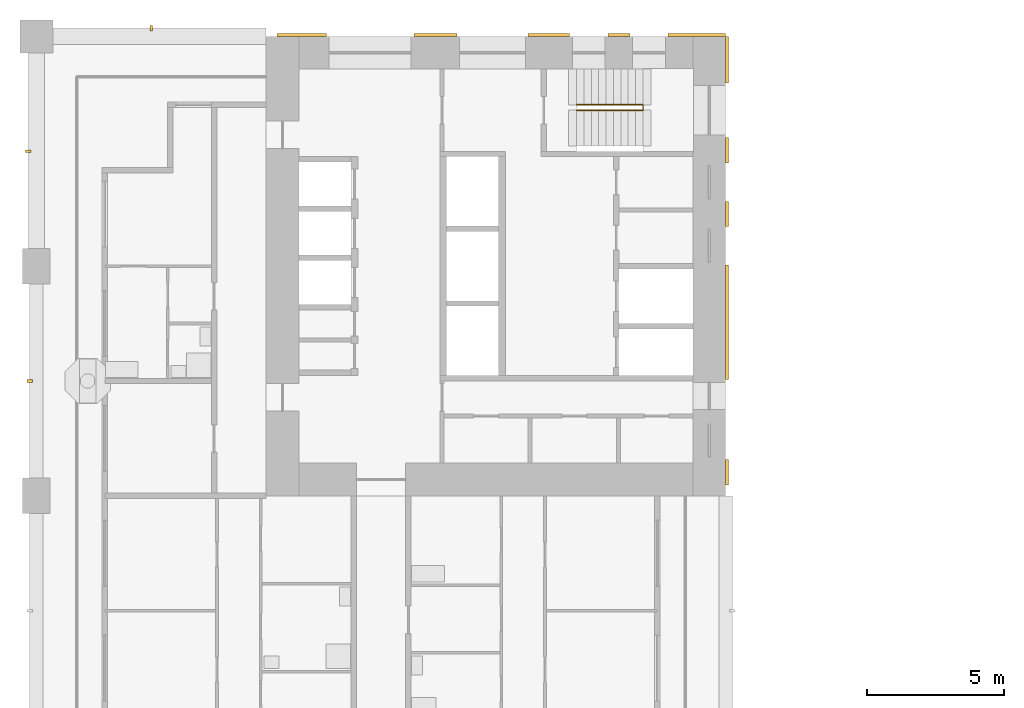
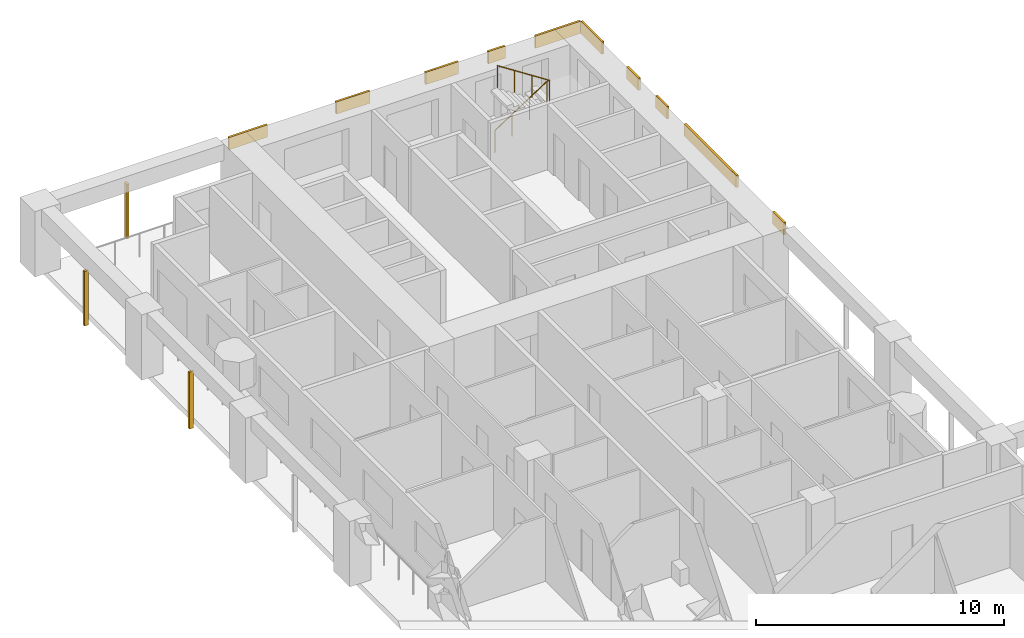
# One storey, part 15 of 19: 13 shading devices, 1 railing.
"""IFC4 building model written with IfcOpenShell, lengths in metres."""

from ifc_helpers import new_model, si_unit, direction, frame, origin, origin_2d, place, context, subcontext, project, spatial, rectangle, circle, extrude, material, layer, layer_set, material_profile, profile_set, type_object, element, save


model = new_model("IFC4")

# Units and contexts
model_context = context("Model", 3, precision=1e-05, world=origin(), true_north=direction((0.0, 1.0)))
body_context = subcontext(model_context, "Body", "Model", "MODEL_VIEW")
ifc_project = project(units=[si_unit("LENGTHUNIT", "METRE"), si_unit("AREAUNIT", "SQUARE_METRE"), si_unit("VOLUMEUNIT", "CUBIC_METRE"), si_unit("PLANEANGLEUNIT", "RADIAN"), si_unit("MASSUNIT", "GRAM", prefix="KILO")], contexts=[model_context])

# Site, building, storey
site_placement = place(None, origin())
site = spatial("IfcSite", under=ifc_project, at=site_placement, CompositionType="ELEMENT")
building_placement = place(site_placement, origin())
building = spatial("IfcBuilding", under=site, at=building_placement, Name="Vermilion Gate Residences", CompositionType="ELEMENT")
storey_placement = place(building_placement, frame((0.0, 0.0, 119.699951171875)))
storey = spatial("IfcBuildingStorey", under=building, at=storey_placement, Name="L30", CompositionType="ELEMENT", Elevation=119.699951171875)

# Railing
ifc_material_1 = material(Name="Steel S355", Category="steel")
railing_type = type_object("IfcRailingType", Name="STAIR GUARD 1100 STEEL", PredefinedType="GUARDRAIL", material=ifc_material_1)
railing_placement = place(storey_placement, frame((19.75, 56.300048828125, 0.175048828125)))
element("IfcRailing", 1, at=railing_placement, inside=storey, type_object=railing_type, Name="Stair well guard STB1-30", PredefinedType="GUARDRAIL", context=body_context, shape_type="SweptSolid", body=[
    extrude(circle(Radius=0.02392578125, at=origin_2d()), frame((0.0, 0.0, 1.076171875), z_axis=(0.839153699163, 0.0, 0.543894354798), x_axis=(0.0, 1.0, 0.0)), (0.0, 0.0, 1.0), 2.895751953125),
    extrude(circle(Radius=0.02392578125, at=origin_2d()), frame((2.429931640625, 0.0, 2.65087890625), z_axis=(0.0, -0.752405939678, 0.658699705433), x_axis=(1.0, 0.0, 0.0)), (0.0, 0.0, 1.0), 0.265869140625),
    extrude(circle(Radius=0.02392578125, at=origin_2d()), frame((2.429931640625, -0.199951171875, 2.826171875), z_axis=(-0.839153699163, 0.0, 0.543894354798), x_axis=(0.0, -1.0, 0.0)), (0.0, 0.0, 1.0), 2.895751953125),
    extrude(circle(Radius=0.02099609375, at=origin_2d()), origin(), (0.0, 0.0, 1.0), 1.052001953125),
    extrude(circle(Radius=0.02099609375, at=origin_2d()), frame((0.81005859375, 0.0, 0.52490234375)), (0.0, 0.0, 1.0), 1.052001953125),
    extrude(circle(Radius=0.02099609375, at=origin_2d()), frame((1.619873046875, 0.0, 1.050048828125)), (0.0, 0.0, 1.0), 1.052001953125),
    extrude(circle(Radius=0.02099609375, at=origin_2d()), frame((2.429931640625, 0.0, 1.574951171875)), (0.0, 0.0, 1.0), 1.052001953125),
    extrude(circle(Radius=0.02099609375, at=origin_2d()), frame((2.429931640625, -0.199951171875, 1.75)), (0.0, 0.0, 1.0), 1.052001953125),
    extrude(circle(Radius=0.02099609375, at=origin_2d()), frame((1.619873046875, -0.199951171875, 2.27490234375)), (0.0, 0.0, 1.0), 1.052001953125),
    extrude(circle(Radius=0.02099609375, at=origin_2d()), frame((0.81005859375, -0.199951171875, 2.800048828125)), (0.0, 0.0, 1.0), 1.052001953125),
    extrude(circle(Radius=0.02099609375, at=origin_2d()), frame((0.0, -0.199951171875, 3.324951171875)), (0.0, 0.0, 1.0), 1.052001953125),
])

# Shading devices
ifc_material_2 = material(Name="Extruded terracotta", Category="masonry")
ifc_material_profile = material_profile(ifc_material_2, rectangle(XDim=0.199951171875, YDim=0.10009765625, at=origin_2d()), Name="BAGUETTE 100 X 200")
ifc_profile_set = profile_set([ifc_material_profile], Name="Extruded terracotta")
shading_device_type_1 = type_object("IfcShadingDeviceType", Name="TERRACOTTA BAGUETTE 100 X 200", PredefinedType="JALOUSIE", material=ifc_profile_set)
shading_device_1_placement = place(storey_placement, frame((4.199951171875, 59.10009765625, -0.280029296875), z_axis=(0.0, 0.0, 1.0), x_axis=(0.0, -1.0, 0.0)))
element("IfcShadingDevice", 2, at=shading_device_1_placement, inside=storey, type_object=shading_device_type_1, Name="BAGUETTE", PredefinedType="JALOUSIE", context=body_context, shape_type="SweptSolid", body=[
    extrude(rectangle(XDim=0.199951171875, YDim=0.10009765625, at=origin_2d()), origin(), (0.0, 0.0, 1.0), 2.7001953125),
])
shading_device_2_placement = place(storey_placement, frame((-0.25, 46.199951171875, -0.280029296875), z_axis=(0.0, 0.0, 1.0), x_axis=(1.0, 0.0, 0.0)))
element("IfcShadingDevice", 3, at=shading_device_2_placement, inside=storey, type_object=shading_device_type_1, Name="BAGUETTE", PredefinedType="JALOUSIE", context=body_context, shape_type="SweptSolid", body=[
    extrude(rectangle(XDim=0.199951171875, YDim=0.10009765625, at=origin_2d()), origin(), (0.0, 0.0, 1.0), 2.800048828125),
])
shading_device_3_placement = place(storey_placement, frame((-0.300048828125, 54.60009765625, -0.280029296875), z_axis=(0.0, 0.0, 1.0), x_axis=(1.0, 0.0, 0.0)))
element("IfcShadingDevice", 4, at=shading_device_3_placement, inside=storey, type_object=shading_device_type_1, Name="BAGUETTE", PredefinedType="JALOUSIE", context=body_context, shape_type="SweptSolid", body=[
    extrude(rectangle(XDim=0.199951171875, YDim=0.10009765625, at=origin_2d()), origin(), (0.0, 0.0, 1.0), 2.7001953125),
])
ifc_material_3 = material(Name="Extruded terracotta", Category="masonry")
ifc_layer = layer(ifc_material_3, 0.10009765625)
ifc_layer_set = layer_set([ifc_layer], Name="TERRACOTTA SPANDREL BAND 600 X 100")
shading_device_type_2 = type_object("IfcShadingDeviceType", Name="TERRACOTTA SPANDREL BAND 600 X 100", PredefinedType="USERDEFINED", material=ifc_layer_set)
shading_device_4_placement = place(storey_placement, frame((9.702392578125, 58.85009765625, 2.6201171875), z_axis=(0.0, 0.0, 1.0), x_axis=(1.0, 0.0, 0.0)))
element("IfcShadingDevice", 5, at=shading_device_4_placement, inside=storey, type_object=shading_device_type_2, Name="SPANDREL BAND", ObjectType="BAND", PredefinedType="USERDEFINED", context=body_context, shape_type="SweptSolid", body=[
    extrude(rectangle(XDim=1.804931640625, YDim=0.10009765625, at=origin_2d()), origin(), (0.0, 0.0, 1.0), 0.60009765625),
])
shading_device_5_placement = place(storey_placement, frame((14.590087890625, 58.85009765625, 2.6201171875), z_axis=(0.0, 0.0, 1.0), x_axis=(1.0, 0.0, 0.0)))
element("IfcShadingDevice", 6, at=shading_device_5_placement, inside=storey, type_object=shading_device_type_2, Name="SPANDREL BAND", ObjectType="BAND", PredefinedType="USERDEFINED", context=body_context, shape_type="SweptSolid", body=[
    extrude(rectangle(XDim=1.570068359375, YDim=0.10009765625, at=origin_2d()), origin(), (0.0, 0.0, 1.0), 0.60009765625),
])
shading_device_6_placement = place(storey_placement, frame((18.734130859375, 58.85009765625, 2.6201171875), z_axis=(0.0, 0.0, 1.0), x_axis=(1.0, 0.0, 0.0)))
element("IfcShadingDevice", 7, at=shading_device_6_placement, inside=storey, type_object=shading_device_type_2, Name="SPANDREL BAND", ObjectType="BAND", PredefinedType="USERDEFINED", context=body_context, shape_type="SweptSolid", body=[
    extrude(rectangle(XDim=1.518310546875, YDim=0.10009765625, at=origin_2d()), origin(), (0.0, 0.0, 1.0), 0.60009765625),
])
shading_device_7_placement = place(storey_placement, frame((21.294921875, 58.85009765625, 2.6201171875), z_axis=(0.0, 0.0, 1.0), x_axis=(1.0, 0.0, 0.0)))
element("IfcShadingDevice", 8, at=shading_device_7_placement, inside=storey, type_object=shading_device_type_2, Name="SPANDREL BAND", ObjectType="BAND", PredefinedType="USERDEFINED", context=body_context, shape_type="SweptSolid", body=[
    extrude(rectangle(XDim=0.803466796875, YDim=0.10009765625, at=origin_2d()), origin(), (0.0, 0.0, 1.0), 0.60009765625),
])
shading_device_8_placement = place(storey_placement, frame((24.1484375, 58.85009765625, 2.6201171875), z_axis=(0.0, 0.0, 1.0), x_axis=(1.0, 0.0, 0.0)))
element("IfcShadingDevice", 9, at=shading_device_8_placement, inside=storey, type_object=shading_device_type_2, Name="SPANDREL BAND", ObjectType="BAND", PredefinedType="USERDEFINED", context=body_context, shape_type="SweptSolid", body=[
    extrude(rectangle(XDim=2.103271484375, YDim=0.10009765625, at=origin_2d()), origin(), (0.0, 0.0, 1.0), 0.60009765625),
])
shading_device_9_placement = place(storey_placement, frame((25.25, 42.862548828125, 2.6201171875), z_axis=(0.0, 0.0, 1.0), x_axis=(0.0, 1.0, 0.0)))
element("IfcShadingDevice", 10, at=shading_device_9_placement, inside=storey, type_object=shading_device_type_2, Name="SPANDREL BAND", ObjectType="BAND", PredefinedType="USERDEFINED", context=body_context, shape_type="SweptSolid", body=[
    extrude(rectangle(XDim=0.925048828125, YDim=0.10009765625, at=origin_2d()), origin(), (0.0, 0.0, 1.0), 0.60009765625),
])
shading_device_10_placement = place(storey_placement, frame((25.25, 48.35009765625, 2.6201171875), z_axis=(0.0, 0.0, 1.0), x_axis=(0.0, 1.0, 0.0)))
element("IfcShadingDevice", 11, at=shading_device_10_placement, inside=storey, type_object=shading_device_type_2, Name="SPANDREL BAND", ObjectType="BAND", PredefinedType="USERDEFINED", context=body_context, shape_type="SweptSolid", body=[
    extrude(rectangle(XDim=4.199951171875, YDim=0.10009765625, at=origin_2d()), origin(), (0.0, 0.0, 1.0), 0.60009765625),
])
shading_device_11_placement = place(storey_placement, frame((25.25, 52.30615234375, 2.6201171875), z_axis=(0.0, 0.0, 1.0), x_axis=(0.0, 1.0, 0.0)))
element("IfcShadingDevice", 12, at=shading_device_11_placement, inside=storey, type_object=shading_device_type_2, Name="SPANDREL BAND", ObjectType="BAND", PredefinedType="USERDEFINED", context=body_context, shape_type="SweptSolid", body=[
    extrude(rectangle(XDim=0.91259765625, YDim=0.10009765625, at=origin_2d()), origin(), (0.0, 0.0, 1.0), 0.60009765625),
])
shading_device_12_placement = place(storey_placement, frame((25.25, 54.631103515625, 2.6201171875), z_axis=(0.0, 0.0, 1.0), x_axis=(0.0, 1.0, 0.0)))
element("IfcShadingDevice", 13, at=shading_device_12_placement, inside=storey, type_object=shading_device_type_2, Name="SPANDREL BAND", ObjectType="BAND", PredefinedType="USERDEFINED", context=body_context, shape_type="SweptSolid", body=[
    extrude(rectangle(XDim=0.9375, YDim=0.10009765625, at=origin_2d()), origin(), (0.0, 0.0, 1.0), 0.60009765625),
])
shading_device_13_placement = place(storey_placement, frame((25.25, 57.949951171875, 2.6201171875), z_axis=(0.0, 0.0, 1.0), x_axis=(0.0, 1.0, 0.0)))
element("IfcShadingDevice", 14, at=shading_device_13_placement, inside=storey, type_object=shading_device_type_2, Name="SPANDREL BAND", ObjectType="BAND", PredefinedType="USERDEFINED", context=body_context, shape_type="SweptSolid", body=[
    extrude(rectangle(XDim=1.699951171875, YDim=0.10009765625, at=origin_2d()), origin(), (0.0, 0.0, 1.0), 0.60009765625),
])

save(model, "model.ifc")
